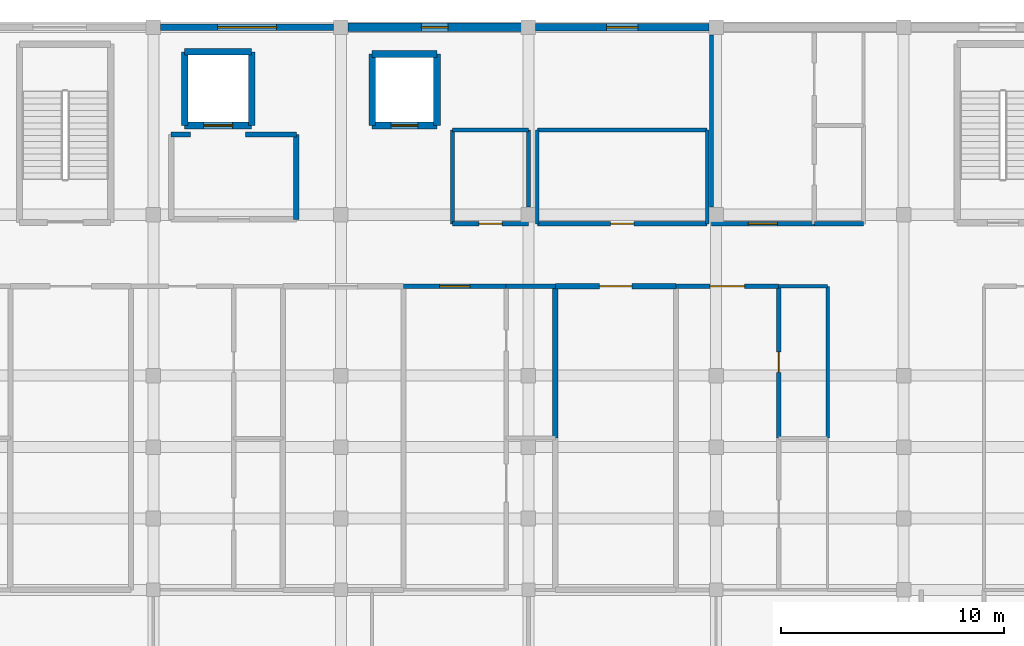
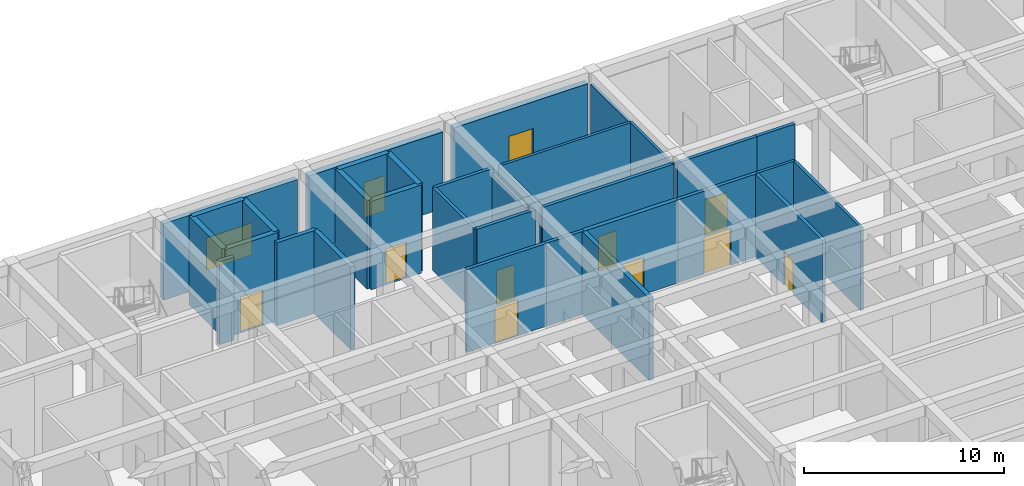
# One storey, part 69 of 89: 33 walls, 9 doors, 3 windows, 12 openings.
"""IFC4 building model written with IfcOpenShell, lengths in metres."""

from ifc_helpers import new_model, si_unit, direction, frame, frame_2d, origin, place, context, subcontext, project, spatial, rectangle, extrude, material, layer, layer_set, type_object, element, fill, save


model = new_model("IFC4")

# Units and contexts
model_context = context("Model", 3, precision=1e-05, world=origin(), true_north=direction((0.0, 1.0)))
body_context = subcontext(model_context, "Body", "Model", "MODEL_VIEW")
ifc_project = project(units=[si_unit("LENGTHUNIT", "METRE"), si_unit("AREAUNIT", "SQUARE_METRE"), si_unit("VOLUMEUNIT", "CUBIC_METRE"), si_unit("PLANEANGLEUNIT", "RADIAN"), si_unit("MASSUNIT", "GRAM", prefix="KILO")], contexts=[model_context])

# Site, building, storey
site_placement = place(None, origin())
site = spatial("IfcSite", under=ifc_project, at=site_placement, CompositionType="ELEMENT")
building_placement = place(site_placement, origin())
building = spatial("IfcBuilding", under=site, at=building_placement, Name="Varncliffe General Hospital", CompositionType="ELEMENT")
storey_placement = place(building_placement, frame((0.0, 0.0, 10.800048828125)))
storey = spatial("IfcBuildingStorey", under=building, at=storey_placement, Name="L02", CompositionType="ELEMENT", Elevation=10.800048828125)

# Wall, opening, window
ifc_material_1 = material(Name="Precast concrete C40/50 with insulated cream lime-cement stucco", Category="concrete")
ifc_layer_1 = layer(ifc_material_1, 0.3798828125)
ifc_layer_set_1 = layer_set([ifc_layer_1], Name="Precast concrete C40/50 with insulated cream lime-cement stucco")
wall_type_1 = type_object("IfcWallType", Name="Exterior Insulated Stucco Wall EW26 (380mm)", PredefinedType="SOLIDWALL", material=ifc_layer_set_1)
wall_1_placement = place(storey_placement, frame((134.722900390625, 124.800048828125, 0.0), z_axis=(0.0, 0.0, 1.0), x_axis=(1.0, 0.0, 0.0)))
wall_1 = element("IfcWall", 1, at=wall_1_placement, inside=storey, type_object=wall_type_1, Name="L02 Exterior Stucco Wall EW26-189", PredefinedType="SOLIDWALL", context=body_context, shape_type="SweptSolid", body=[
    extrude(rectangle(XDim=7.754150390625, YDim=0.3798828125, at=frame_2d((3.876953125, 0.0))), origin(), (0.0, 0.0, 1.0), 4.679931640625),
])
opening_1_placement = place(wall_1_placement, frame((3.277099609375, 0.0, 0.89990234375)))
opening_1 = element("IfcOpeningElement", 2, at=opening_1_placement, cuts=wall_1, Name="Opening WN36", PredefinedType="OPENING", context=body_context, shape_type="SweptSolid", body=[
    extrude(rectangle(XDim=1.199951171875, YDim=2.14990234375, at=frame_2d((0.60009765625, 1.074951171875))), frame((0.0, 0.199951171875, 0.0), z_axis=(0.0, -1.0, 0.0), x_axis=(1.0, 0.0, 0.0)), (0.0, 0.0, 1.0), 0.39990234375),
])
ifc_material_2 = material(Name="Triple low-E argon insulated vision glazing", Category="glass")
window_type_1 = type_object("IfcWindowType", Name="Triple-Glazed Hospital Window WN36 (1200x2150)", PartitioningType="SINGLE_PANEL", PredefinedType="WINDOW", material=ifc_material_2)
window_1_placement = place(opening_1_placement, origin())
window_1 = element("IfcWindow", 3, at=window_1_placement, inside=storey, type_object=window_type_1, Name="L02 Hospital Window WN36-121", OverallHeight=2.14990234375, OverallWidth=1.199951171875, PartitioningType="SINGLE_PANEL", PredefinedType="WINDOW", context=body_context, shape_type="SweptSolid", body=[
    extrude(rectangle(XDim=1.199951171875, YDim=2.14990234375, at=frame_2d((0.60009765625, 1.074951171875))), frame((0.0, 0.030029296875, 0.0), z_axis=(0.0, -1.0, 0.0), x_axis=(1.0, 0.0, 0.0)), (0.0, 0.0, 1.0), 0.06005859375),
])
fill(opening_1, window_1)

ifc_layer_2 = layer(ifc_material_1, 0.2900390625)
ifc_layer_set_2 = layer_set([ifc_layer_2], Name="Precast concrete C40/50 with insulated cream lime-cement stucco")
wall_type_2 = type_object("IfcWallType", Name="Exterior Insulated Stucco Wall EW31 (290mm)", PredefinedType="SOLIDWALL", material=ifc_layer_set_2)
wall_2_placement = place(storey_placement, frame((126.322998046875, 124.800048828125, 0.0), z_axis=(0.0, 0.0, 1.0), x_axis=(1.0, 0.0, 0.0)))
wall_2 = element("IfcWall", 4, at=wall_2_placement, inside=storey, type_object=wall_type_2, Name="L02 Exterior Stucco Wall EW31-188", PredefinedType="SOLIDWALL", context=body_context, shape_type="SweptSolid", body=[
    extrude(rectangle(XDim=7.75390625, YDim=0.2900390625, at=frame_2d((3.876953125, 0.0))), origin(), (0.0, 0.0, 1.0), 4.679931640625),
])
opening_2_placement = place(wall_2_placement, frame((2.552001953125, 0.0, 0.89990234375)))
opening_2 = element("IfcOpeningElement", 5, at=opening_2_placement, cuts=wall_2, Name="Opening WN30", PredefinedType="OPENING", context=body_context, shape_type="SweptSolid", body=[
    extrude(rectangle(XDim=2.64990234375, YDim=1.949951171875, at=frame_2d((1.324951171875, 0.97509765625))), frame((0.0, 0.155029296875, 0.0), z_axis=(0.0, -1.0, 0.0), x_axis=(1.0, 0.0, 0.0)), (0.0, 0.0, 1.0), 0.31005859375),
])
window_type_2 = type_object("IfcWindowType", Name="Triple-Glazed Hospital Window WN30 (2650x1950)", PartitioningType="DOUBLE_PANEL_VERTICAL", PredefinedType="WINDOW", material=ifc_material_2)
window_2_placement = place(opening_2_placement, origin())
window_2 = element("IfcWindow", 6, at=window_2_placement, inside=storey, type_object=window_type_2, Name="L02 Hospital Window WN30-120", OverallHeight=1.949951171875, OverallWidth=2.64990234375, PartitioningType="DOUBLE_PANEL_VERTICAL", PredefinedType="WINDOW", context=body_context, shape_type="SweptSolid", body=[
    extrude(rectangle(XDim=2.64990234375, YDim=1.949951171875, at=frame_2d((1.324951171875, 0.97509765625))), frame((0.0, 0.030029296875, 0.0), z_axis=(0.0, -1.0, 0.0), x_axis=(1.0, 0.0, 0.0)), (0.0, 0.0, 1.0), 0.06005859375),
])
fill(opening_2, window_2)

ifc_layer_3 = layer(ifc_material_1, 0.35009765625)
ifc_layer_set_3 = layer_set([ifc_layer_3], Name="Precast concrete C40/50 with insulated cream lime-cement stucco")
wall_type_3 = type_object("IfcWallType", Name="Exterior Insulated Stucco Wall EW37 (350mm)", PredefinedType="SOLIDWALL", material=ifc_layer_set_3)
wall_3_placement = place(storey_placement, frame((143.123046875, 124.800048828125, 0.0), z_axis=(0.0, 0.0, 1.0), x_axis=(1.0, 0.0, 0.0)))
wall_3 = element("IfcWall", 7, at=wall_3_placement, inside=storey, type_object=wall_type_3, Name="L02 Exterior Stucco Wall EW37-190", PredefinedType="SOLIDWALL", context=body_context, shape_type="SweptSolid", body=[
    extrude(rectangle(XDim=7.75390625, YDim=0.35009765625, at=frame_2d((3.876953125, 0.0))), origin(), (0.0, 0.0, 1.0), 4.679931640625),
])
opening_3_placement = place(wall_3_placement, frame((3.177001953125, 0.0, 0.89990234375)))
opening_3 = element("IfcOpeningElement", 8, at=opening_3_placement, cuts=wall_3, Name="Opening WN11", PredefinedType="OPENING", context=body_context, shape_type="SweptSolid", body=[
    extrude(rectangle(XDim=1.39990234375, YDim=2.14990234375, at=frame_2d((0.699951171875, 1.074951171875))), frame((0.0, 0.18505859375, 0.0), z_axis=(0.0, -1.0, 0.0), x_axis=(1.0, 0.0, 0.0)), (0.0, 0.0, 1.0), 0.3701171875),
])
window_type_3 = type_object("IfcWindowType", Name="Triple-Glazed Hospital Window WN11 (1400x2150)", PartitioningType="SINGLE_PANEL", PredefinedType="WINDOW", material=ifc_material_2)
window_3_placement = place(opening_3_placement, origin())
window_3 = element("IfcWindow", 9, at=window_3_placement, inside=storey, type_object=window_type_3, Name="L02 Hospital Window WN11-122", OverallHeight=2.14990234375, OverallWidth=1.39990234375, PartitioningType="SINGLE_PANEL", PredefinedType="WINDOW", context=body_context, shape_type="SweptSolid", body=[
    extrude(rectangle(XDim=1.39990234375, YDim=2.14990234375, at=frame_2d((0.699951171875, 1.074951171875))), frame((0.0, 0.030029296875, 0.0), z_axis=(0.0, -1.0, 0.0), x_axis=(1.0, 0.0, 0.0)), (0.0, 0.0, 1.0), 0.06005859375),
])
fill(opening_3, window_3)

# Wall
ifc_material_3 = material(Name="Acoustic clinical gypsum stud partition assembly", Category="gypsum")
ifc_layer_4 = layer(ifc_material_3, 0.169921875)
ifc_layer_set_4 = layer_set([ifc_layer_4], Name="Acoustic clinical gypsum stud partition assembly")
wall_type_4 = type_object("IfcWallType", Name="Interior Partitioning IW20 (170mm)", PredefinedType="PARTITIONING", material=ifc_layer_set_4)
wall_4_placement = place(storey_placement, frame((151.0, 116.739990234375, 0.0), z_axis=(0.0, 0.0, 1.0), x_axis=(0.0, 1.0, 0.0)))
element("IfcWall", 10, at=wall_4_placement, inside=storey, type_object=wall_type_4, Name="L02 Interior Partition Wall IW20-1270", PredefinedType="PARTITIONING", context=body_context, shape_type="SweptSolid", body=[
    extrude(rectangle(XDim=7.719970703125, YDim=0.169921875, at=frame_2d((3.85986328125, 0.0))), origin(), (0.0, 0.0, 1.0), 4.73486328125),
])

# Wall, opening, door
ifc_material_4 = material(Name="Fire-rated gypsum and mineral-wool partition assembly", Category="gypsum")
ifc_layer_5 = layer(ifc_material_4, 0.25)
ifc_layer_set_5 = layer_set([ifc_layer_5], Name="Fire-rated gypsum and mineral-wool partition assembly")
wall_type_5 = type_object("IfcWallType", Name="Interior Partitioning PW38 (250mm)", PredefinedType="PARTITIONING", material=ifc_layer_set_5)
wall_5_placement = place(storey_placement, frame((144.0, 113.199951171875, 0.0), z_axis=(0.0, 0.0, 1.0), x_axis=(1.0, 0.0, 0.0)))
wall_5 = element("IfcWall", 11, at=wall_5_placement, inside=storey, type_object=wall_type_5, Name="L02 Interior Partition Wall PW38-1085", PredefinedType="PARTITIONING", context=body_context, shape_type="SweptSolid", body=[
    extrude(rectangle(XDim=5.39990234375, YDim=0.25, at=frame_2d((2.699951171875, 0.0))), origin(), (0.0, 0.0, 1.0), 5.070068359375),
])
opening_4_placement = place(wall_5_placement, frame((1.97509765625, 0.0, 0.0)))
opening_4 = element("IfcOpeningElement", 12, at=opening_4_placement, cuts=wall_5, Name="Opening DC66", PredefinedType="OPENING", context=body_context, shape_type="SweptSolid", body=[
    extrude(rectangle(XDim=1.449951171875, YDim=2.25, at=frame_2d((0.72509765625, 1.125))), frame((0.0, 0.135009765625, 0.0), z_axis=(0.0, -1.0, 0.0), x_axis=(1.0, 0.0, 0.0)), (0.0, 0.0, 1.0), 0.27001953125),
])
ifc_material_5 = material(Name="Fire-rated hospital steel-frame vision-panel door", Category="steel")
door_type_1 = type_object("IfcDoorType", Name="Interior Hospital Door DC66 (1450x2250)", OperationType="NOTDEFINED", PredefinedType="DOOR", material=ifc_material_5)
door_1_placement = place(opening_4_placement, frame((1.449951171875, 0.0, 0.0), z_axis=(0.0, 0.0, 1.0), x_axis=(-1.0, 0.0, 0.0)))
door_1 = element("IfcDoor", 13, at=door_1_placement, inside=storey, type_object=door_type_1, Name="L02 Surgical Sub-Sterile Utility Store 138 Door", OperationType="SINGLE_SWING_LEFT", OverallHeight=2.25, OverallWidth=1.449951171875, PredefinedType="DOOR", context=body_context, shape_type="SweptSolid", body=[
    extrude(rectangle(XDim=1.449951171875, YDim=2.25, at=frame_2d((0.72509765625, 1.125))), frame((0.0, 0.02490234375, 0.0), z_axis=(0.0, -1.0, 0.0), x_axis=(1.0, 0.0, 0.0)), (0.0, 0.0, 1.0), 0.050048828125),
])
fill(opening_4, door_1)

# Walls
wall_6_placement = place(storey_placement, frame((132.39990234375, 116.199951171875, 0.0), z_axis=(0.0, 0.0, 1.0), x_axis=(0.0, 1.0, 0.0)))
element("IfcWall", 14, at=wall_6_placement, inside=storey, type_object=wall_type_5, Name="L02 Interior Partition Wall PW38-1251", PredefinedType="PARTITIONING", context=body_context, shape_type="SweptSolid", body=[
    extrude(rectangle(XDim=3.800048828125, YDim=0.25, at=frame_2d((1.89990234375, 0.0))), origin(), (0.0, 0.0, 1.0), 5.070068359375),
])
wall_7_placement = place(storey_placement, frame((144.0, 106.39990234375, 0.0), z_axis=(0.0, 0.0, 1.0), x_axis=(0.0, 1.0, 0.0)))
element("IfcWall", 15, at=wall_7_placement, inside=storey, type_object=wall_type_5, Name="L02 Interior Partition Wall PW38-1265", PredefinedType="PARTITIONING", context=body_context, shape_type="SweptSolid", body=[
    extrude(rectangle(XDim=6.800048828125, YDim=0.25, at=frame_2d((3.39990234375, 0.0))), origin(), (0.0, 0.0, 1.0), 5.070068359375),
])
ifc_layer_6 = layer(ifc_material_4, 0.22998046875)
ifc_layer_set_6 = layer_set([ifc_layer_6], Name="Fire-rated gypsum and mineral-wool partition assembly")
wall_type_6 = type_object("IfcWallType", Name="Interior Partitioning PW48 (230mm)", PredefinedType="PARTITIONING", material=ifc_layer_set_6)
wall_8_placement = place(storey_placement, frame((130.135986328125, 120.0, 0.0), z_axis=(0.0, 0.0, 1.0), x_axis=(1.0, 0.0, 0.0)))
element("IfcWall", 16, at=wall_8_placement, inside=storey, type_object=wall_type_6, Name="L02 Interior Partition Wall PW48-1112", PredefinedType="PARTITIONING", context=body_context, shape_type="SweptSolid", body=[
    extrude(rectangle(XDim=2.263916015625, YDim=0.22998046875, at=frame_2d((1.1318359375, 0.0))), origin(), (0.0, 0.0, 1.0), 5.070068359375),
])
wall_9_placement = place(storey_placement, frame((126.800048828125, 120.0, 0.0), z_axis=(0.0, 0.0, 1.0), x_axis=(1.0, 0.0, 0.0)))
element("IfcWall", 17, at=wall_9_placement, inside=storey, type_object=wall_type_6, Name="L02 Interior Partition Wall PW48-1113", PredefinedType="PARTITIONING", context=body_context, shape_type="SweptSolid", body=[
    extrude(rectangle(XDim=0.864013671875, YDim=0.22998046875, at=frame_2d((0.43212890625, 0.0))), origin(), (0.0, 0.0, 1.0), 5.070068359375),
])

# Wall, opening, door
ifc_layer_7 = layer(ifc_material_4, 0.199951171875)
ifc_layer_set_7 = layer_set([ifc_layer_7], Name="Fire-rated gypsum and mineral-wool partition assembly")
wall_type_7 = type_object("IfcWallType", Name="Interior Partitioning PW63 (200mm)", PredefinedType="PARTITIONING", material=ifc_layer_set_7)
wall_10_placement = place(storey_placement, frame((137.199951171875, 113.199951171875, 0.0), z_axis=(0.0, 0.0, 1.0), x_axis=(1.0, 0.0, 0.0)))
wall_10 = element("IfcWall", 18, at=wall_10_placement, inside=storey, type_object=wall_type_7, Name="L02 Interior Partition Wall PW63-1083", PredefinedType="PARTITIONING", context=body_context, shape_type="SweptSolid", body=[
    extrude(rectangle(XDim=4.60009765625, YDim=0.199951171875, at=frame_2d((2.300048828125, 0.0))), origin(), (0.0, 0.0, 1.0), 5.070068359375),
])
opening_5_placement = place(wall_10_placement, frame((1.625, 0.0, 0.0)))
opening_5 = element("IfcOpeningElement", 19, at=opening_5_placement, cuts=wall_10, Name="Opening DC85", PredefinedType="OPENING", context=body_context, shape_type="SweptSolid", body=[
    extrude(rectangle(XDim=1.35009765625, YDim=2.199951171875, at=frame_2d((0.675048828125, 1.10009765625))), frame((0.0, 0.10986328125, 0.0), z_axis=(0.0, -1.0, 0.0), x_axis=(1.0, 0.0, 0.0)), (0.0, 0.0, 1.0), 0.219970703125),
])
door_type_2 = type_object("IfcDoorType", Name="Interior Hospital Door DC85 (1350x2200)", OperationType="NOTDEFINED", PredefinedType="DOOR", material=ifc_material_5)
door_2_placement = place(opening_5_placement, frame((1.35009765625, 0.0, 0.0), z_axis=(0.0, 0.0, 1.0), x_axis=(-1.0, 0.0, 0.0)))
door_2 = element("IfcDoor", 20, at=door_2_placement, inside=storey, type_object=door_type_2, Name="L02 Surgical Inpatient Ward Room 135 Door", OperationType="SINGLE_SWING_RIGHT", OverallHeight=2.199951171875, OverallWidth=1.35009765625, PredefinedType="DOOR", context=body_context, shape_type="SweptSolid", body=[
    extrude(rectangle(XDim=1.35009765625, YDim=2.199951171875, at=frame_2d((0.675048828125, 1.10009765625))), frame((0.0, 0.02490234375, 0.0), z_axis=(0.0, -1.0, 0.0), x_axis=(1.0, 0.0, 0.0)), (0.0, 0.0, 1.0), 0.050048828125),
])
fill(opening_5, door_2)

wall_11_placement = place(storey_placement, frame((149.39990234375, 113.199951171875, 0.0), z_axis=(0.0, 0.0, 1.0), x_axis=(1.0, 0.0, 0.0)))
wall_11 = element("IfcWall", 21, at=wall_11_placement, inside=storey, type_object=wall_type_7, Name="L02 Interior Partition Wall PW63-1086", PredefinedType="PARTITIONING", context=body_context, shape_type="SweptSolid", body=[
    extrude(rectangle(XDim=4.60009765625, YDim=0.199951171875, at=frame_2d((2.300048828125, 0.0))), origin(), (0.0, 0.0, 1.0), 5.070068359375),
])
opening_6_placement = place(wall_11_placement, frame((1.52490234375, 0.0, 0.0)))
opening_6 = element("IfcOpeningElement", 22, at=opening_6_placement, cuts=wall_11, Name="Opening DC67", PredefinedType="OPENING", context=body_context, shape_type="SweptSolid", body=[
    extrude(rectangle(XDim=1.550048828125, YDim=2.25, at=frame_2d((0.77490234375, 1.125))), frame((0.0, 0.10986328125, 0.0), z_axis=(0.0, -1.0, 0.0), x_axis=(1.0, 0.0, 0.0)), (0.0, 0.0, 1.0), 0.219970703125),
])
door_type_3 = type_object("IfcDoorType", Name="Interior Hospital Door DC67 (1550x2250)", OperationType="NOTDEFINED", PredefinedType="DOOR", material=ifc_material_5)
door_3_placement = place(opening_6_placement, frame((1.550048828125, 0.0, 0.0), z_axis=(0.0, 0.0, 1.0), x_axis=(-1.0, 0.0, 0.0)))
door_3 = element("IfcDoor", 23, at=door_3_placement, inside=storey, type_object=door_type_3, Name="L02 Surgical Inpatient Ward Room 139 Door", OperationType="SINGLE_SWING_RIGHT", OverallHeight=2.25, OverallWidth=1.550048828125, PredefinedType="DOOR", context=body_context, shape_type="SweptSolid", body=[
    extrude(rectangle(XDim=1.550048828125, YDim=2.25, at=frame_2d((0.77490234375, 1.125))), frame((0.0, 0.02490234375, 0.0), z_axis=(0.0, -1.0, 0.0), x_axis=(1.0, 0.0, 0.0)), (0.0, 0.0, 1.0), 0.050048828125),
])
fill(opening_6, door_3)

wall_12_placement = place(storey_placement, frame((139.39990234375, 116.0, 0.0), z_axis=(0.0, 0.0, 1.0), x_axis=(1.0, 0.0, 0.0)))
wall_12 = element("IfcWall", 24, at=wall_12_placement, inside=storey, type_object=wall_type_7, Name="L02 Interior Partition Wall PW63-1099", PredefinedType="PARTITIONING", context=body_context, shape_type="SweptSolid", body=[
    extrude(rectangle(XDim=3.400146484375, YDim=0.199951171875, at=frame_2d((1.7001953125, 0.0))), origin(), (0.0, 0.0, 1.0), 5.070068359375),
])
opening_7_placement = place(wall_12_placement, frame((1.179931640625, 0.0, 0.0)))
opening_7 = element("IfcOpeningElement", 25, at=opening_7_placement, cuts=wall_12, Name="Opening DI77", PredefinedType="OPENING", context=body_context, shape_type="SweptSolid", body=[
    extrude(rectangle(XDim=1.0400390625, YDim=2.10009765625, at=frame_2d((0.52001953125, 1.050048828125))), frame((0.0, 0.10986328125, 0.0), z_axis=(0.0, -1.0, 0.0), x_axis=(1.0, 0.0, 0.0)), (0.0, 0.0, 1.0), 0.219970703125),
])
ifc_material_6 = material(Name="Solid-core antimicrobial hospital oak veneer door", Category="wood")
door_type_4 = type_object("IfcDoorType", Name="Interior Hospital Door DI77 (1040x2100)", OperationType="NOTDEFINED", PredefinedType="DOOR", material=ifc_material_6)
door_4_placement = place(opening_7_placement, origin())
door_4 = element("IfcDoor", 26, at=door_4_placement, inside=storey, type_object=door_type_4, Name="L02 Accessible WC L02-NE Door", OperationType="SINGLE_SWING_LEFT", OverallHeight=2.10009765625, OverallWidth=1.0400390625, PredefinedType="DOOR", context=body_context, shape_type="SweptSolid", body=[
    extrude(rectangle(XDim=1.0400390625, YDim=2.10009765625, at=frame_2d((0.52001953125, 1.050048828125))), frame((0.0, 0.02490234375, 0.0), z_axis=(0.0, -1.0, 0.0), x_axis=(1.0, 0.0, 0.0)), (0.0, 0.0, 1.0), 0.050048828125),
])
fill(opening_7, door_4)

wall_13_placement = place(storey_placement, frame((143.199951171875, 116.0, 0.0), z_axis=(0.0, 0.0, 1.0), x_axis=(1.0, 0.0, 0.0)))
wall_13 = element("IfcWall", 27, at=wall_13_placement, inside=storey, type_object=wall_type_7, Name="L02 Interior Partition Wall PW63-1100", PredefinedType="PARTITIONING", context=body_context, shape_type="SweptSolid", body=[
    extrude(rectangle(XDim=7.60009765625, YDim=0.199951171875, at=frame_2d((3.800048828125, 0.0))), origin(), (0.0, 0.0, 1.0), 5.070068359375),
])
opening_8_placement = place(wall_13_placement, frame((3.280029296875, 0.0, 0.0)))
opening_8 = element("IfcOpeningElement", 28, at=opening_8_placement, cuts=wall_13, Name="Opening DI77", PredefinedType="OPENING", context=body_context, shape_type="SweptSolid", body=[
    extrude(rectangle(XDim=1.0400390625, YDim=2.10009765625, at=frame_2d((0.52001953125, 1.050048828125))), frame((0.0, 0.10986328125, 0.0), z_axis=(0.0, -1.0, 0.0), x_axis=(1.0, 0.0, 0.0)), (0.0, 0.0, 1.0), 0.219970703125),
])
door_5_placement = place(opening_8_placement, origin())
door_5 = element("IfcDoor", 29, at=door_5_placement, inside=storey, type_object=door_type_4, Name="L02 Staff and Visitor WC L02-NE Door", OperationType="SINGLE_SWING_RIGHT", OverallHeight=2.10009765625, OverallWidth=1.0400390625, PredefinedType="DOOR", context=body_context, shape_type="SweptSolid", body=[
    extrude(rectangle(XDim=1.0400390625, YDim=2.10009765625, at=frame_2d((0.52001953125, 1.050048828125))), frame((0.0, 0.02490234375, 0.0), z_axis=(0.0, -1.0, 0.0), x_axis=(1.0, 0.0, 0.0)), (0.0, 0.0, 1.0), 0.050048828125),
])
fill(opening_8, door_5)

wall_14_placement = place(storey_placement, frame((151.0, 116.0, 0.0), z_axis=(0.0, 0.0, 1.0), x_axis=(1.0, 0.0, 0.0)))
wall_14 = element("IfcWall", 30, at=wall_14_placement, inside=storey, type_object=wall_type_7, Name="L02 Interior Partition Wall PW63-1101", PredefinedType="PARTITIONING", context=body_context, shape_type="SweptSolid", body=[
    extrude(rectangle(XDim=4.60009765625, YDim=0.199951171875, at=frame_2d((2.300048828125, 0.0))), origin(), (0.0, 0.0, 1.0), 5.070068359375),
])
opening_9_placement = place(wall_14_placement, frame((1.64990234375, 0.0, 0.0)))
opening_9 = element("IfcOpeningElement", 31, at=opening_9_placement, cuts=wall_14, Name="Opening DC88", PredefinedType="OPENING", context=body_context, shape_type="SweptSolid", body=[
    extrude(rectangle(XDim=1.300048828125, YDim=2.199951171875, at=frame_2d((0.64990234375, 1.10009765625))), frame((0.0, 0.10986328125, 0.0), z_axis=(0.0, -1.0, 0.0), x_axis=(1.0, 0.0, 0.0)), (0.0, 0.0, 1.0), 0.219970703125),
])
door_type_5 = type_object("IfcDoorType", Name="Interior Hospital Door DC88 (1300x2200)", OperationType="NOTDEFINED", PredefinedType="DOOR", material=ifc_material_5)
door_6_placement = place(opening_9_placement, origin())
door_6 = element("IfcDoor", 32, at=door_6_placement, inside=storey, type_object=door_type_5, Name="L02 Surgical Inpatient Ward Room 154 Door", OperationType="SINGLE_SWING_LEFT", OverallHeight=2.199951171875, OverallWidth=1.300048828125, PredefinedType="DOOR", context=body_context, shape_type="SweptSolid", body=[
    extrude(rectangle(XDim=1.300048828125, YDim=2.199951171875, at=frame_2d((0.64990234375, 1.10009765625))), frame((0.0, 0.02490234375, 0.0), z_axis=(0.0, -1.0, 0.0), x_axis=(1.0, 0.0, 0.0)), (0.0, 0.0, 1.0), 0.050048828125),
])
fill(opening_9, door_6)

wall_15_placement = place(storey_placement, frame((154.0, 106.39990234375, 0.0), z_axis=(0.0, 0.0, 1.0), x_axis=(0.0, 1.0, 0.0)))
wall_15 = element("IfcWall", 33, at=wall_15_placement, inside=storey, type_object=wall_type_7, Name="L02 Interior Partition Wall PW63-1283", PredefinedType="PARTITIONING", context=body_context, shape_type="SweptSolid", body=[
    extrude(rectangle(XDim=6.800048828125, YDim=0.199951171875, at=frame_2d((3.39990234375, 0.0))), origin(), (0.0, 0.0, 1.0), 5.070068359375),
])
opening_10_placement = place(wall_15_placement, frame((2.93994140625, 0.0, 0.0)))
opening_10 = element("IfcOpeningElement", 34, at=opening_10_placement, cuts=wall_15, Name="Opening DI70", PredefinedType="OPENING", context=body_context, shape_type="SweptSolid", body=[
    extrude(rectangle(XDim=0.919921875, YDim=2.10009765625, at=frame_2d((0.4599609375, 1.050048828125))), frame((0.0, 0.10986328125, 0.0), z_axis=(0.0, -1.0, 0.0), x_axis=(1.0, 0.0, 0.0)), (0.0, 0.0, 1.0), 0.219970703125),
])
door_type_6 = type_object("IfcDoorType", Name="Interior Hospital Door DI70 (920x2100)", OperationType="NOTDEFINED", PredefinedType="DOOR", material=ifc_material_6)
door_7_placement = place(opening_10_placement, frame((0.919921875, 0.0, 0.0), z_axis=(0.0, 0.0, 1.0), x_axis=(-1.0, 0.0, 0.0)))
door_7 = element("IfcDoor", 35, at=door_7_placement, inside=storey, type_object=door_type_6, Name="L02 En-Suite Bathroom 140 Door", OperationType="SINGLE_SWING_RIGHT", OverallHeight=2.10009765625, OverallWidth=0.919921875, PredefinedType="DOOR", context=body_context, shape_type="SweptSolid", body=[
    extrude(rectangle(XDim=0.919921875, YDim=2.10009765625, at=frame_2d((0.4599609375, 1.050048828125))), frame((0.0, 0.02490234375, 0.0), z_axis=(0.0, -1.0, 0.0), x_axis=(1.0, 0.0, 0.0)), (0.0, 0.0, 1.0), 0.050048828125),
])
fill(opening_10, door_7)

# Walls
ifc_material_7 = material(Name="Moisture-resistant plumbing chase wall assembly", Category="gypsum")
ifc_layer_8 = layer(ifc_material_7, 0.18994140625)
ifc_layer_set_8 = layer_set([ifc_layer_8], Name="Moisture-resistant plumbing chase wall assembly")
wall_type_8 = type_object("IfcWallType", Name="Interior Plumbingwall MW17 (190mm)", PredefinedType="PLUMBINGWALL", material=ifc_layer_set_8)
for number, where, z_axis, x_axis, name in (
    (36, (141.800048828125, 113.199951171875, 0.0), (0.0, 0.0, 1.0), (1.0, 0.0, 0.0), "L02 Interior Plumbing Wall MW17-1084"),
    (37, (155.60009765625, 116.0, 0.0), (0.0, 0.0, 1.0), (1.0, 0.0, 0.0), "L02 Interior Plumbing Wall MW17-1102"),
):
    element("IfcWall", number, at=place(storey_placement, frame(where, z_axis=z_axis, x_axis=x_axis)), inside=storey, type_object=wall_type_8, Name=name, PredefinedType="PLUMBINGWALL", context=body_context, shape_type="SweptSolid", body=[
        extrude(rectangle(XDim=2.199951171875, YDim=0.18994140625, at=frame_2d((1.10009765625, 0.0))), origin(), (0.0, 0.0, 1.0), 5.070068359375),
    ])
wall_16_placement = place(storey_placement, frame((139.39990234375, 120.199951171875, 0.0), z_axis=(0.0, 0.0, 1.0), x_axis=(1.0, 0.0, 0.0)))
element("IfcWall", 38, at=wall_16_placement, inside=storey, type_object=wall_type_8, Name="L02 Interior Plumbing Wall MW17-1116", PredefinedType="PLUMBINGWALL", context=body_context, shape_type="SweptSolid", body=[
    extrude(rectangle(XDim=3.400146484375, YDim=0.18994140625, at=frame_2d((1.7001953125, 0.0))), origin(), (0.0, 0.0, 1.0), 5.070068359375),
])
wall_17_placement = place(storey_placement, frame((139.39990234375, 116.0, 0.0), z_axis=(0.0, 0.0, 1.0), x_axis=(0.0, 1.0, 0.0)))
element("IfcWall", 39, at=wall_17_placement, inside=storey, type_object=wall_type_8, Name="L02 Interior Plumbing Wall MW17-1256", PredefinedType="PLUMBINGWALL", context=body_context, shape_type="SweptSolid", body=[
    extrude(rectangle(XDim=4.199951171875, YDim=0.18994140625, at=frame_2d((2.10009765625, 0.0))), origin(), (0.0, 0.0, 1.0), 5.070068359375),
])
wall_18_placement = place(storey_placement, frame((142.800048828125, 116.739990234375, 0.0), z_axis=(0.0, 0.0, 1.0), x_axis=(0.0, 1.0, 0.0)))
element("IfcWall", 40, at=wall_18_placement, inside=storey, type_object=wall_type_8, Name="L02 Interior Plumbing Wall MW17-1262", PredefinedType="PLUMBINGWALL", context=body_context, shape_type="SweptSolid", body=[
    extrude(rectangle(XDim=3.4599609375, YDim=0.18994140625, at=frame_2d((1.72998046875, 0.0))), origin(), (0.0, 0.0, 1.0), 4.73486328125),
])
ifc_layer_9 = layer(ifc_material_7, 0.159912109375)
ifc_layer_set_9 = layer_set([ifc_layer_9], Name="Moisture-resistant plumbing chase wall assembly")
wall_type_9 = type_object("IfcWallType", Name="Interior Plumbingwall MW31 (160mm)", PredefinedType="PLUMBINGWALL", material=ifc_layer_set_9)
wall_19_placement = place(storey_placement, frame((154.0, 113.199951171875, 0.0), z_axis=(0.0, 0.0, 1.0), x_axis=(1.0, 0.0, 0.0)))
element("IfcWall", 41, at=wall_19_placement, inside=storey, type_object=wall_type_9, Name="L02 Interior Plumbing Wall MW31-1087", PredefinedType="PLUMBINGWALL", context=body_context, shape_type="SweptSolid", body=[
    extrude(rectangle(XDim=2.199951171875, YDim=0.159912109375, at=frame_2d((1.10009765625, 0.0))), origin(), (0.0, 0.0, 1.0), 5.070068359375),
])
wall_20_placement = place(storey_placement, frame((143.199951171875, 120.199951171875, 0.0), z_axis=(0.0, 0.0, 1.0), x_axis=(1.0, 0.0, 0.0)))
element("IfcWall", 42, at=wall_20_placement, inside=storey, type_object=wall_type_9, Name="L02 Interior Plumbing Wall MW31-1117", PredefinedType="PLUMBINGWALL", context=body_context, shape_type="SweptSolid", body=[
    extrude(rectangle(XDim=7.60009765625, YDim=0.159912109375, at=frame_2d((3.800048828125, 0.0))), origin(), (0.0, 0.0, 1.0), 5.070068359375),
])
for number, where, z_axis, x_axis, name in (
    (43, (143.199951171875, 116.0, 0.0), (0.0, 0.0, 1.0), (0.0, 1.0, 0.0), "L02 Interior Plumbing Wall MW31-1263"),
    (44, (150.800048828125, 116.0, 0.0), (0.0, 0.0, 1.0), (0.0, 1.0, 0.0), "L02 Interior Plumbing Wall MW31-1269"),
):
    element("IfcWall", number, at=place(storey_placement, frame(where, z_axis=z_axis, x_axis=x_axis)), inside=storey, type_object=wall_type_9, Name=name, PredefinedType="PLUMBINGWALL", context=body_context, shape_type="SweptSolid", body=[
        extrude(rectangle(XDim=4.199951171875, YDim=0.159912109375, at=frame_2d((2.10009765625, 0.0))), origin(), (0.0, 0.0, 1.0), 5.070068359375),
    ])
wall_21_placement = place(storey_placement, frame((156.199951171875, 106.39990234375, 0.0), z_axis=(0.0, 0.0, 1.0), x_axis=(0.0, 1.0, 0.0)))
element("IfcWall", 45, at=wall_21_placement, inside=storey, type_object=wall_type_9, Name="L02 Interior Plumbing Wall MW31-1287", PredefinedType="PLUMBINGWALL", context=body_context, shape_type="SweptSolid", body=[
    extrude(rectangle(XDim=6.800048828125, YDim=0.159912109375, at=frame_2d((3.39990234375, 0.0))), origin(), (0.0, 0.0, 1.0), 5.070068359375),
])

# Wall, opening, door
ifc_material_8 = material(Name="Concrete C40/50 (CSA A23.1 40 MPa)", Category="concrete")
ifc_layer_10 = layer(ifc_material_8, 0.300048828125)
ifc_layer_set_10 = layer_set([ifc_layer_10], Name="Concrete C40/50 (CSA A23.1 40 MPa)")
wall_type_10 = type_object("IfcWallType", Name="Reinforced Concrete Core Shear Wall CW12 (300mm)", PredefinedType="SHEAR", material=ifc_layer_set_10)
wall_22_placement = place(storey_placement, frame((127.39990234375, 120.39990234375, 0.0), z_axis=(0.0, 0.0, 1.0), x_axis=(1.0, 0.0, 0.0)))
wall_22 = element("IfcWall", 46, at=wall_22_placement, inside=storey, type_object=wall_type_10, Name="L02 LF03 Elevator Shaft Wall South", PredefinedType="SHEAR", context=body_context, shape_type="SweptSolid", body=[
    extrude(rectangle(XDim=3.0, YDim=0.300048828125, at=frame_2d((1.5, 0.0))), origin(), (0.0, 0.0, 1.0), 5.39990234375),
])
opening_11_placement = place(wall_22_placement, frame((0.85009765625, 0.0, 0.0)))
opening_11 = element("IfcOpeningElement", 47, at=opening_11_placement, cuts=wall_22, Name="Opening LD02", PredefinedType="OPENING", context=body_context, shape_type="SweptSolid", body=[
    extrude(rectangle(XDim=1.300048828125, YDim=2.199951171875, at=frame_2d((0.64990234375, 1.10009765625))), frame((0.0, 0.16015625, 0.0), z_axis=(0.0, -1.0, 0.0), x_axis=(1.0, 0.0, 0.0)), (0.0, 0.0, 1.0), 0.320068359375),
])
ifc_material_9 = material(Name="Brushed stainless-steel sliding elevator landing door", Category="steel")
door_type_7 = type_object("IfcDoorType", Name="Lift Landing Door LD02 (1300x2200)", OperationType="DOUBLE_DOOR_SLIDING", PredefinedType="DOOR", material=ifc_material_9)
door_8_placement = place(opening_11_placement, origin())
door_8 = element("IfcDoor", 48, at=door_8_placement, inside=storey, type_object=door_type_7, Name="Lift Landing Door LF03 L02", OperationType="DOUBLE_DOOR_SLIDING", OverallHeight=2.199951171875, OverallWidth=1.300048828125, PredefinedType="DOOR", context=body_context, shape_type="SweptSolid", body=[
    extrude(rectangle(XDim=1.300048828125, YDim=2.199951171875, at=frame_2d((0.64990234375, 1.10009765625))), frame((0.0, 0.02490234375, 0.0), z_axis=(0.0, -1.0, 0.0), x_axis=(1.0, 0.0, 0.0)), (0.0, 0.0, 1.0), 0.050048828125),
])
fill(opening_11, door_8)

# Walls
wall_23_placement = place(storey_placement, frame((130.39990234375, 120.39990234375, 0.0), z_axis=(0.0, 0.0, 1.0), x_axis=(0.0, 1.0, 0.0)))
element("IfcWall", 49, at=wall_23_placement, inside=storey, type_object=wall_type_10, Name="L02 LF03 Elevator Shaft Wall East", PredefinedType="SHEAR", context=body_context, shape_type="SweptSolid", body=[
    extrude(rectangle(XDim=3.300048828125, YDim=0.300048828125, at=frame_2d((1.64990234375, 0.0))), origin(), (0.0, 0.0, 1.0), 5.39990234375),
])
wall_24_placement = place(storey_placement, frame((130.39990234375, 123.699951171875, 0.0), z_axis=(0.0, 0.0, 1.0), x_axis=(-1.0, 0.0, 0.0)))
element("IfcWall", 50, at=wall_24_placement, inside=storey, type_object=wall_type_10, Name="L02 LF03 Elevator Shaft Wall North", PredefinedType="SHEAR", context=body_context, shape_type="SweptSolid", body=[
    extrude(rectangle(XDim=3.0, YDim=0.300048828125, at=frame_2d((1.5, 0.0))), origin(), (0.0, 0.0, 1.0), 5.39990234375),
])
wall_25_placement = place(storey_placement, frame((127.39990234375, 123.699951171875, 0.0), z_axis=(0.0, 0.0, 1.0), x_axis=(0.0, -1.0, 0.0)))
element("IfcWall", 51, at=wall_25_placement, inside=storey, type_object=wall_type_10, Name="L02 LF03 Elevator Shaft Wall West", PredefinedType="SHEAR", context=body_context, shape_type="SweptSolid", body=[
    extrude(rectangle(XDim=3.300048828125, YDim=0.300048828125, at=frame_2d((1.64990234375, 0.0))), origin(), (0.0, 0.0, 1.0), 5.39990234375),
])

# Wall, opening, door
wall_26_placement = place(storey_placement, frame((135.800048828125, 120.39990234375, 0.0), z_axis=(0.0, 0.0, 1.0), x_axis=(1.0, 0.0, 0.0)))
wall_26 = element("IfcWall", 52, at=wall_26_placement, inside=storey, type_object=wall_type_10, Name="L02 LF05 Elevator Shaft Wall South", PredefinedType="SHEAR", context=body_context, shape_type="SweptSolid", body=[
    extrude(rectangle(XDim=2.89990234375, YDim=0.300048828125, at=frame_2d((1.449951171875, 0.0))), origin(), (0.0, 0.0, 1.0), 5.39990234375),
])
opening_12_placement = place(wall_26_placement, frame((0.85009765625, 0.0, 0.0)))
opening_12 = element("IfcOpeningElement", 53, at=opening_12_placement, cuts=wall_26, Name="Opening LD01", PredefinedType="OPENING", context=body_context, shape_type="SweptSolid", body=[
    extrude(rectangle(XDim=1.199951171875, YDim=2.199951171875, at=frame_2d((0.60009765625, 1.10009765625))), frame((0.0, 0.16015625, 0.0), z_axis=(0.0, -1.0, 0.0), x_axis=(1.0, 0.0, 0.0)), (0.0, 0.0, 1.0), 0.320068359375),
])
door_type_8 = type_object("IfcDoorType", Name="Lift Landing Door LD01 (1200x2200)", OperationType="DOUBLE_DOOR_SLIDING", PredefinedType="DOOR", material=ifc_material_9)
door_9_placement = place(opening_12_placement, origin())
door_9 = element("IfcDoor", 54, at=door_9_placement, inside=storey, type_object=door_type_8, Name="Lift Landing Door LF05 L02", OperationType="DOUBLE_DOOR_SLIDING", OverallHeight=2.199951171875, OverallWidth=1.199951171875, PredefinedType="DOOR", context=body_context, shape_type="SweptSolid", body=[
    extrude(rectangle(XDim=1.199951171875, YDim=2.199951171875, at=frame_2d((0.60009765625, 1.10009765625))), frame((0.0, 0.02490234375, 0.0), z_axis=(0.0, -1.0, 0.0), x_axis=(1.0, 0.0, 0.0)), (0.0, 0.0, 1.0), 0.050048828125),
])
fill(opening_12, door_9)

# Walls
wall_27_placement = place(storey_placement, frame((138.699951171875, 120.39990234375, 0.0), z_axis=(0.0, 0.0, 1.0), x_axis=(0.0, 1.0, 0.0)))
element("IfcWall", 55, at=wall_27_placement, inside=storey, type_object=wall_type_10, Name="L02 LF05 Elevator Shaft Wall East", PredefinedType="SHEAR", context=body_context, shape_type="SweptSolid", body=[
    extrude(rectangle(XDim=3.2001953125, YDim=0.300048828125, at=frame_2d((1.60009765625, 0.0))), origin(), (0.0, 0.0, 1.0), 5.39990234375),
])
wall_28_placement = place(storey_placement, frame((138.699951171875, 123.60009765625, 0.0), z_axis=(0.0, 0.0, 1.0), x_axis=(-1.0, 0.0, 0.0)))
element("IfcWall", 56, at=wall_28_placement, inside=storey, type_object=wall_type_10, Name="L02 LF05 Elevator Shaft Wall North", PredefinedType="SHEAR", context=body_context, shape_type="SweptSolid", body=[
    extrude(rectangle(XDim=2.89990234375, YDim=0.300048828125, at=frame_2d((1.449951171875, 0.0))), origin(), (0.0, 0.0, 1.0), 5.39990234375),
])
wall_29_placement = place(storey_placement, frame((135.800048828125, 123.60009765625, 0.0), z_axis=(0.0, 0.0, 1.0), x_axis=(0.0, -1.0, 0.0)))
element("IfcWall", 57, at=wall_29_placement, inside=storey, type_object=wall_type_10, Name="L02 LF05 Elevator Shaft Wall West", PredefinedType="SHEAR", context=body_context, shape_type="SweptSolid", body=[
    extrude(rectangle(XDim=3.2001953125, YDim=0.300048828125, at=frame_2d((1.60009765625, 0.0))), origin(), (0.0, 0.0, 1.0), 5.39990234375),
])

save(model, "model.ifc")
